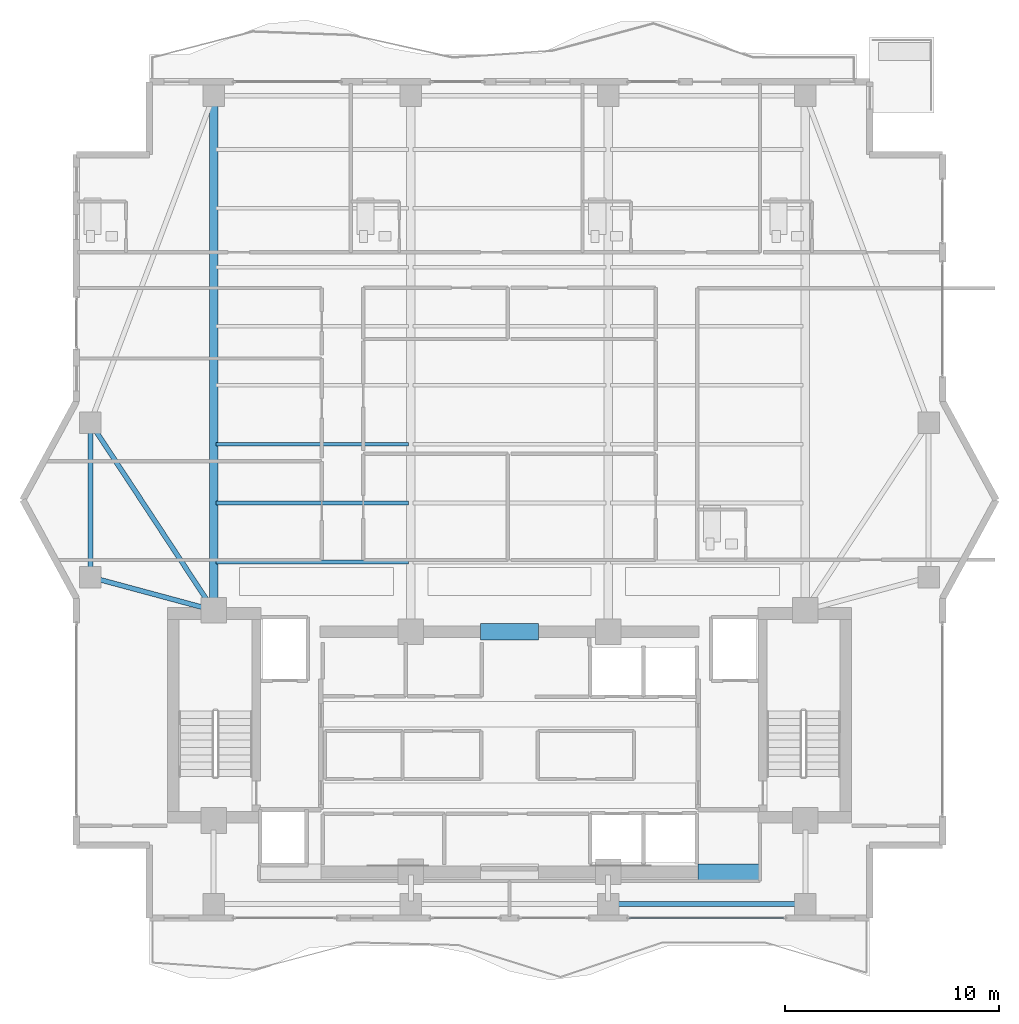
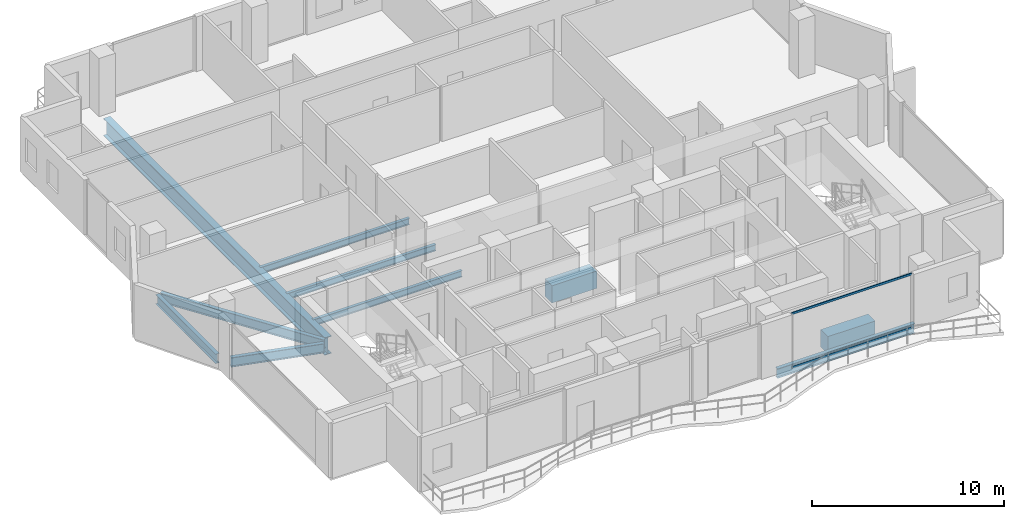
# One storey, part 5 of 23: 10 beams, 2 members, 1 element without a shape of its own.
"""IFC4 building model written with IfcOpenShell, lengths in metres."""

from ifc_helpers import new_model, si_unit, direction, frame, origin, origin_2d, place, context, subcontext, project, spatial, rectangle, hollow_rectangle, i_section, extrude, material, layer, layer_set, material_profile, profile_set, type_object, element, aggregate, save


model = new_model("IFC4")

# Units and contexts
model_context = context("Model", 3, precision=1e-05, world=origin(), true_north=direction((0.0, 1.0)))
body_context = subcontext(model_context, "Body", "Model", "MODEL_VIEW")
ifc_project = project(units=[si_unit("LENGTHUNIT", "METRE"), si_unit("AREAUNIT", "SQUARE_METRE"), si_unit("VOLUMEUNIT", "CUBIC_METRE"), si_unit("PLANEANGLEUNIT", "RADIAN"), si_unit("MASSUNIT", "GRAM", prefix="KILO")], contexts=[model_context])

# Site, building, storey
site_placement = place(None, origin())
site = spatial("IfcSite", under=ifc_project, at=site_placement, CompositionType="ELEMENT")
building_placement = place(site_placement, origin())
building = spatial("IfcBuilding", under=site, at=building_placement, Name="Zuhayl Quay Hotel", CompositionType="ELEMENT")
storey_placement = place(building_placement, frame((0.0, 0.0, 265.550048828125)))
storey = spatial("IfcBuildingStorey", under=building, at=storey_placement, Name="L67", CompositionType="ELEMENT", Elevation=265.550048828125)

# Beams
ifc_material_1 = material(Name="Steel ASTM A992 Grade 50", Category="steel")
ifc_material_profile_1 = material_profile(ifc_material_1, i_section(OverallWidth=0.22802734375, OverallDepth=0.60693359375, WebThickness=0.01123046875, FlangeThickness=0.017333984375, at=origin_2d()), Name="W24X76")
ifc_profile_set_1 = profile_set([ifc_material_profile_1], Name="Steel ASTM A992 Grade 50")
beam_type_1 = type_object("IfcBeamType", Name="BM_B3_W24X76", PredefinedType="BEAM", material=ifc_profile_set_1)
beam_1_placement = place(storey_placement, frame((5.06005859375, 0.64990234375, -0.5234375), z_axis=(1.0, 0.0, 0.0), x_axis=(0.0, 1.0, 0.0)))
element("IfcBeam", 1, at=beam_1_placement, inside=storey, type_object=beam_type_1, Name="L67 Floor Beam RG_L67_03", PredefinedType="BEAM", context=body_context, shape_type="SweptSolid", body=[
    extrude(i_section(OverallWidth=0.22802734375, OverallDepth=0.60693359375, WebThickness=0.01123046875, FlangeThickness=0.017333984375, at=origin_2d()), origin(), (0.0, 0.0, 1.0), 8.280029296875),
])
beam_2_placement = place(storey_placement, frame((-19.550048828125, 22.639892578125, -0.5234375), z_axis=(0.0, -1.0, 0.0), x_axis=(1.0, 0.0, 0.0)))
element("IfcBeam", 2, at=beam_2_placement, inside=storey, type_object=beam_type_1, Name="L67 Floor Beam RG_L67_11", PredefinedType="BEAM", context=body_context, shape_type="SweptSolid", body=[
    extrude(i_section(OverallWidth=0.22802734375, OverallDepth=0.60693359375, WebThickness=0.01123046875, FlangeThickness=0.017333984375, at=origin_2d()), origin(), (0.0, 0.0, 1.0), 6.27978515625),
])
beam_3_placement = place(storey_placement, frame((-19.10595703125, 15.7802734375, -0.5234375), z_axis=(0.965530205773, -0.26029103277, 0.0), x_axis=(0.26029103277, 0.965530205773, 0.0)))
element("IfcBeam", 3, at=beam_3_placement, inside=storey, type_object=beam_type_1, Name="L67 Floor Beam FG_W_L67_1", PredefinedType="BEAM", context=body_context, shape_type="SweptSolid", body=[
    extrude(i_section(OverallWidth=0.22802734375, OverallDepth=0.60693359375, WebThickness=0.01123046875, FlangeThickness=0.017333984375, at=origin_2d()), origin(), (0.0, 0.0, 1.0), 5.045166015625),
])
beam_4_placement = place(storey_placement, frame((-19.29736328125, 22.715576171875, -0.5234375), z_axis=(0.549177886661, -0.835705479701, 0.0), x_axis=(0.835705479701, 0.549177886661, 0.0)))
element("IfcBeam", 4, at=beam_4_placement, inside=storey, type_object=beam_type_1, Name="L67 Floor Beam FG_W_L67_2", PredefinedType="BEAM", context=body_context, shape_type="SweptSolid", body=[
    extrude(i_section(OverallWidth=0.22802734375, OverallDepth=0.60693359375, WebThickness=0.01123046875, FlangeThickness=0.017333984375, at=origin_2d()), origin(), (0.0, 0.0, 1.0), 9.560302734375),
])
ifc_material_2 = material(Name="Concrete C60/75", Category="concrete")
ifc_material_profile_2 = material_profile(ifc_material_2, rectangle(XDim=0.75, YDim=1.10009765625, at=origin_2d()), Name="RC750X1100")
ifc_profile_set_2 = profile_set([ifc_material_profile_2], Name="Concrete C60/75")
beam_type_2 = type_object("IfcBeamType", Name="BM_CB2_RC750", PredefinedType="T_BEAM", material=ifc_profile_set_2)
beam_5_placement = place(storey_placement, frame((8.800048828125, 2.14990234375, -0.77001953125), z_axis=(1.0, 0.0, 0.0), x_axis=(0.0, 1.0, 0.0)))
element("IfcBeam", 5, at=beam_5_placement, inside=storey, type_object=beam_type_2, Name="L67 Core Coupling Beam SE", PredefinedType="T_BEAM", context=body_context, shape_type="SweptSolid", body=[
    extrude(rectangle(XDim=0.75, YDim=1.10009765625, at=origin_2d()), origin(), (0.0, 0.0, 1.0), 2.849853515625),
])
beam_6_placement = place(storey_placement, frame((-1.35009765625, 13.35009765625, -0.77001953125), z_axis=(1.0, 0.0, 0.0), x_axis=(0.0, 1.0, 0.0)))
element("IfcBeam", 6, at=beam_6_placement, inside=storey, type_object=beam_type_2, Name="L67 Core Coupling Beam North", PredefinedType="T_BEAM", context=body_context, shape_type="SweptSolid", body=[
    extrude(rectangle(XDim=0.75, YDim=1.10009765625, at=origin_2d()), origin(), (0.0, 0.0, 1.0), 2.7001953125),
])
ifc_material_profile_3 = material_profile(ifc_material_1, i_section(OverallWidth=0.177978515625, OverallDepth=0.404052734375, WebThickness=0.007568359375, FlangeThickness=0.010986328125, at=origin_2d()), Name="W16X36")
ifc_profile_set_3 = profile_set([ifc_material_profile_3], Name="Steel ASTM A992 Grade 50")
beam_type_3 = type_object("IfcBeamType", Name="BM_J3_W16X36", PredefinedType="JOIST", material=ifc_profile_set_3)
for number, where, z_axis, x_axis, name in (
    (7, (-13.694091796875, 16.60009765625, -0.422119140625), (1.0, 0.0, 0.0), (0.0, 1.0, 0.0), "L67 Floor Beam FJ_L67_1_1"),
    (8, (-13.694091796875, 19.35009765625, -0.422119140625), (1.0, 0.0, 0.0), (0.0, 1.0, 0.0), "L67 Floor Beam FJ_L67_2_1"),
    (9, (-13.694091796875, 22.10009765625, -0.422119140625), (1.0, 0.0, 0.0), (0.0, 1.0, 0.0), "L67 Floor Beam FJ_L67_3_1"),
):
    element("IfcBeam", number, at=place(storey_placement, frame(where, z_axis=z_axis, x_axis=x_axis)), inside=storey, type_object=beam_type_3, Name=name, PredefinedType="JOIST", context=body_context, shape_type="SweptSolid", body=[
        extrude(i_section(OverallWidth=0.177978515625, OverallDepth=0.404052734375, WebThickness=0.007568359375, FlangeThickness=0.010986328125, at=origin_2d()), origin(), (0.0, 0.0, 1.0), 8.988037109375),
    ])
ifc_material_3 = material(Name="Steel ASTM A913 Grade 65", Category="steel")
ifc_material_profile_4 = material_profile(ifc_material_3, i_section(OverallWidth=0.404052734375, OverallDepth=1.117919921875, WebThickness=0.026123046875, FlangeThickness=0.044921875, at=origin_2d()), Name="W44X335")
ifc_profile_set_4 = profile_set([ifc_material_profile_4], Name="Steel ASTM A913 Grade 65")
beam_type_4 = type_object("IfcBeamType", Name="BM_TG1_W44X335", PredefinedType="BEAM", material=ifc_profile_set_4)
beam_7_placement = place(storey_placement, frame((-13.800048828125, 14.800048828125, -0.779052734375), z_axis=(0.0, 1.0, 0.0), x_axis=(-1.0, 0.0, 0.0)))
element("IfcBeam", 10, at=beam_7_placement, inside=storey, type_object=beam_type_4, Name="L67 Floor Beam FG_N_L67_1", PredefinedType="BEAM", context=body_context, shape_type="SweptSolid", body=[
    extrude(i_section(OverallWidth=0.404052734375, OverallDepth=1.117919921875, WebThickness=0.026123046875, FlangeThickness=0.044921875, at=origin_2d()), origin(), (0.0, 0.0, 1.0), 23.08984375),
])

# Curtain wall, members
ifc_material_4 = material(Name="Anodised Aluminium 6063-T6", Category="aluminium")
ifc_layer = layer(ifc_material_4, 0.169921875, Name="Anodised Aluminium 6063-T6", Category="aluminium")
ifc_layer_set = layer_set([ifc_layer], Name="Anodised Aluminium 6063-T6")
curtain_wall_type = type_object("IfcCurtainWallType", Name="CW_SYS_Z4", PredefinedType="USERDEFINED", material=ifc_layer_set)
curtain_wall_placement = place(storey_placement, origin())
curtain_wall = element("IfcCurtainWall", 11, at=curtain_wall_placement, inside=storey, type_object=curtain_wall_type, Name="L67 Curtain Wall ENV_L67_S_CW1", ObjectType="UNITISED CURTAIN WALL", PredefinedType="USERDEFINED")
ifc_material_5 = material(Name="Black-anodised aluminium 6063-T6", Category="aluminium")
ifc_material_profile_5 = material_profile(ifc_material_5, hollow_rectangle(XDim=0.054931640625, YDim=0.1298828125, WallThickness=0.0029296875, at=origin_2d()), Name="ALU130X55")
ifc_profile_set_5 = profile_set([ifc_material_profile_5], Name="Black-anodised aluminium 6063-T6")
member_type = type_object("IfcMemberType", Name="MB_CW_TRN_130", PredefinedType="USERDEFINED", material=ifc_profile_set_5)
member_1_placement = place(storey_placement, frame((12.81494140625, 0.0, 0.02734375), z_axis=(-1.0, 0.0, 0.0), x_axis=(0.0, -1.0, 0.0)))
member_1 = element("IfcMember", 12, at=member_1_placement, type_object=member_type, Name="CW-Z4 transom 1.1", ObjectType="TRANSOM", PredefinedType="USERDEFINED", context=body_context, shape_type="SweptSolid", body=[
    extrude(hollow_rectangle(XDim=0.054931640625, YDim=0.1298828125, WallThickness=0.0029296875, at=origin_2d()), origin(), (0.0, 0.0, 1.0), 7.22998046875),
])
member_2_placement = place(storey_placement, frame((12.81494140625, 0.0, 3.452392578125), z_axis=(-1.0, 0.0, 0.0), x_axis=(0.0, -1.0, 0.0)))
member_2 = element("IfcMember", 13, at=member_2_placement, type_object=member_type, Name="CW-Z4 transom 1.2", ObjectType="TRANSOM", PredefinedType="USERDEFINED", context=body_context, shape_type="SweptSolid", body=[
    extrude(hollow_rectangle(XDim=0.054931640625, YDim=0.1298828125, WallThickness=0.0029296875, at=origin_2d()), origin(), (0.0, 0.0, 1.0), 7.22998046875),
])
aggregate(curtain_wall, [member_1, member_2])

save(model, "model.ifc")
